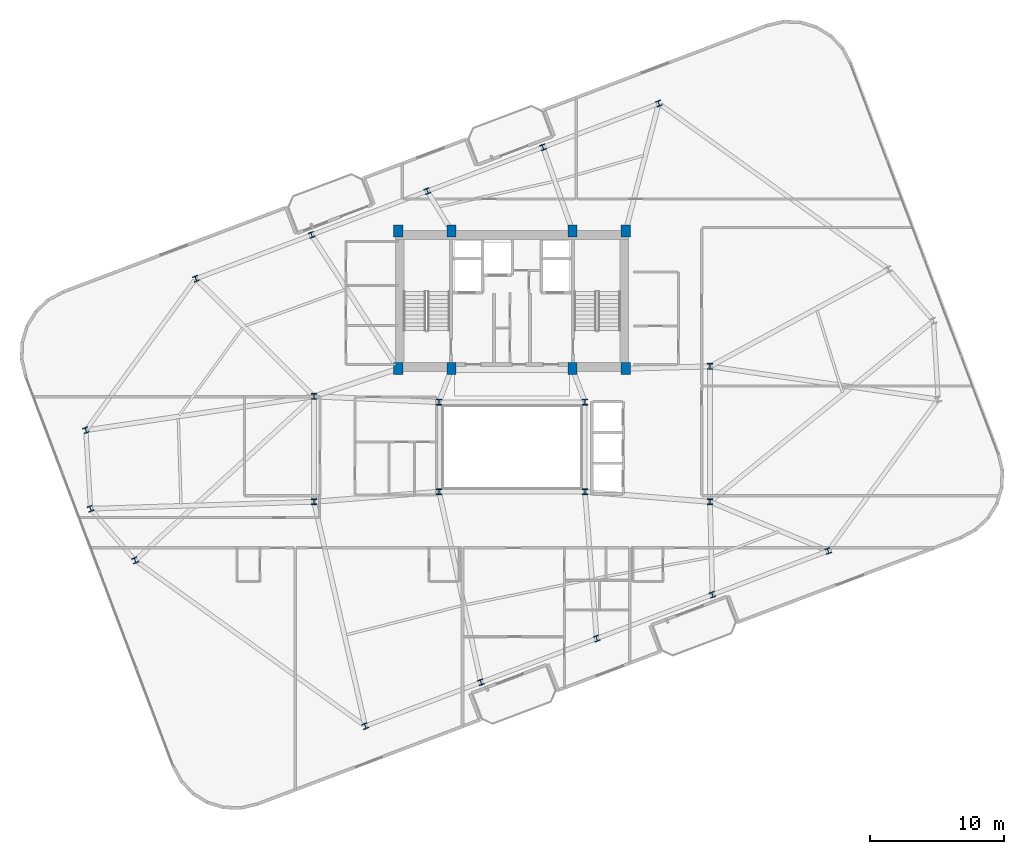
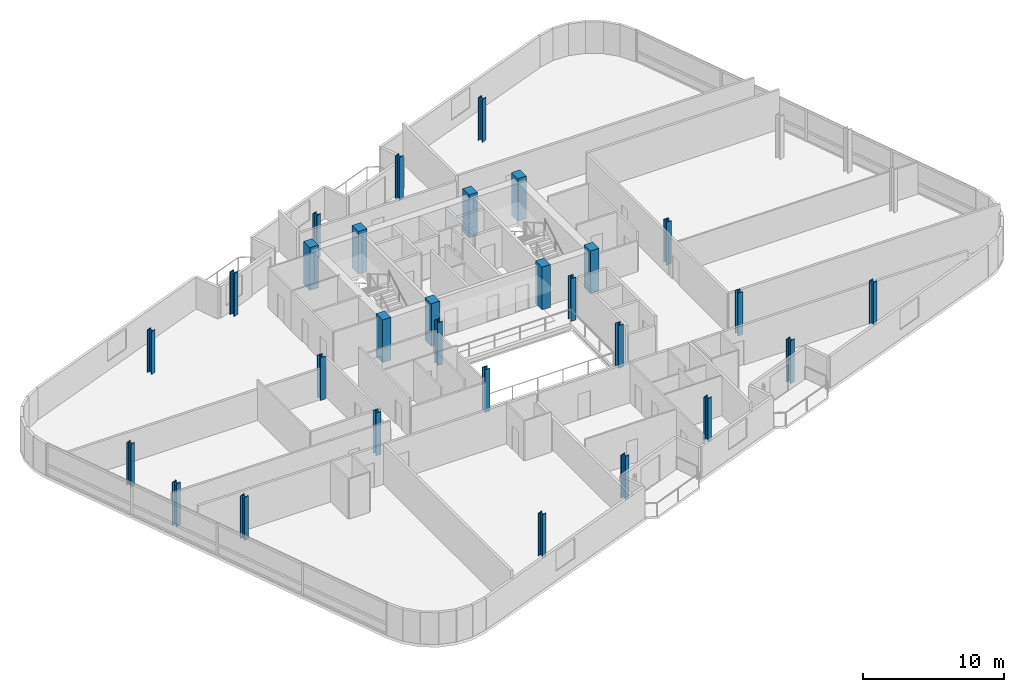
# One storey, part 1 of 20: 29 columns.
"""IFC4 building model written with IfcOpenShell, lengths in metres."""

from ifc_helpers import new_model, si_unit, direction, frame, origin, origin_2d, place, context, subcontext, project, spatial, rectangle, i_section, extrude, material, material_profile, profile_set, type_object, element, save


model = new_model("IFC4")

# Units and contexts
model_context = context("Model", 3, precision=1e-05, world=origin(), true_north=direction((0.0, 1.0)))
body_context = subcontext(model_context, "Body", "Model", "MODEL_VIEW")
ifc_project = project(units=[si_unit("LENGTHUNIT", "METRE"), si_unit("AREAUNIT", "SQUARE_METRE"), si_unit("VOLUMEUNIT", "CUBIC_METRE"), si_unit("PLANEANGLEUNIT", "RADIAN"), si_unit("MASSUNIT", "GRAM", prefix="KILO")], contexts=[model_context])

# Site, building, storey
site_placement = place(None, origin())
site = spatial("IfcSite", under=ifc_project, at=site_placement, CompositionType="ELEMENT")
building_placement = place(site_placement, origin())
building = spatial("IfcBuilding", under=site, at=building_placement, Name="Varnelok Gate Tower", CompositionType="ELEMENT")
storey_placement = place(building_placement, frame((0.0, 0.0, 223.800048828125)))
storey = spatial("IfcBuildingStorey", under=building, at=storey_placement, Name="L57", CompositionType="ELEMENT", Elevation=223.800048828125)

# Columns
ifc_material_1 = material(Name="Concrete C60/75", Category="concrete")
ifc_material_profile_1 = material_profile(ifc_material_1, rectangle(XDim=0.699951171875, YDim=0.89990234375, at=origin_2d()), Name="RC900X700")
ifc_profile_set_1 = profile_set([ifc_material_profile_1], Name="Concrete C60/75")
column_type_1 = type_object("IfcColumnType", Name="COL-RC900X700", PredefinedType="COLUMN", material=ifc_profile_set_1)
for number, where, z_axis, x_axis, name in (
    (1, (30.699951171875, 28.75, 0.0), (0.0, 0.0, 1.0), (1.0, 0.0, 0.0), "L57 Core Spine Column SC1"),
    (2, (34.679931640625, 28.75, 0.0), (0.0, 0.0, 1.0), (1.0, 0.0, 0.0), "L57 Core Spine Column SC2"),
    (3, (43.719970703125, 28.75, 0.0), (0.0, 0.0, 1.0), (1.0, 0.0, 0.0), "L57 Core Spine Column SC3"),
    (4, (47.699951171875, 28.75, 0.0), (0.0, 0.0, 1.0), (1.0, 0.0, 0.0), "L57 Core Spine Column SC4"),
    (5, (30.699951171875, 39.050048828125, 0.0), (0.0, 0.0, 1.0), (1.0, 0.0, 0.0), "L57 Core Spine Column SC5"),
    (6, (34.679931640625, 39.050048828125, 0.0), (0.0, 0.0, 1.0), (1.0, 0.0, 0.0), "L57 Core Spine Column SC6"),
    (7, (43.719970703125, 39.050048828125, 0.0), (0.0, 0.0, 1.0), (1.0, 0.0, 0.0), "L57 Core Spine Column SC7"),
    (8, (47.699951171875, 39.050048828125, 0.0), (0.0, 0.0, 1.0), (1.0, 0.0, 0.0), "L57 Core Spine Column SC8"),
):
    element("IfcColumn", number, at=place(storey_placement, frame(where, z_axis=z_axis, x_axis=x_axis)), inside=storey, type_object=column_type_1, Name=name, PredefinedType="COLUMN", context=body_context, shape_type="SweptSolid", body=[
        extrude(rectangle(XDim=0.699951171875, YDim=0.89990234375, at=origin_2d()), origin(), (0.0, 0.0, 1.0), 3.699951171875),
    ])
ifc_material_2 = material(Name="Structural Steel ASTM A992 Grade 50", Category="steel")
ifc_material_profile_2 = material_profile(ifc_material_2, i_section(OverallWidth=0.406005859375, OverallDepth=0.416015625, WebThickness=0.02978515625, FlangeThickness=0.048095703125, FilletRadius=0.02490234375, at=origin_2d()), Name="W14X257")
ifc_profile_set_2 = profile_set([ifc_material_profile_2], Name="Structural Steel ASTM A992 Grade 50")
column_type_2 = type_object("IfcColumnType", Name="COL-W14X257", PredefinedType="COLUMN", material=ifc_profile_set_2)
for number, where, z_axis, x_axis, name in (
    (9, (28.22900390625, 2.028076171875, 0.0), (0.0, 0.0, 1.0), (0.935221751401, 0.354062530786, 0.0), "L57 B5 Perimeter Column PC01"),
    (10, (36.8798828125, 5.30322265625, 0.0), (0.0, 0.0, 1.0), (0.935221751401, 0.354062530786, 0.0), "L57 B5 Perimeter Column PC02"),
    (11, (45.530517578125, 8.578125, 0.0), (0.0, 0.0, 1.0), (0.935221751401, 0.354062530786, 0.0), "L57 B5 Perimeter Column PC03"),
    (12, (54.181396484375, 11.853271484375, 0.0), (0.0, 0.0, 1.0), (0.935221751401, 0.354062530786, 0.0), "L57 B5 Perimeter Column PC04"),
    (13, (62.832275390625, 15.12841796875, 0.0), (0.0, 0.0, 1.0), (0.935221751401, 0.354062530786, 0.0), "L57 B5 Perimeter Column PC05"),
    (14, (50.1708984375, 48.572021484375, 0.0), (0.0, 0.0, 1.0), (0.935221751401, 0.354062530786, 0.0), "L57 B5 Perimeter Column PC09"),
    (15, (41.520263671875, 45.296875, 0.0), (0.0, 0.0, 1.0), (0.935221751401, 0.354062530786, 0.0), "L57 B5 Perimeter Column PC10"),
    (16, (32.869384765625, 42.021728515625, 0.0), (0.0, 0.0, 1.0), (0.935221751401, 0.354062530786, 0.0), "L57 B5 Perimeter Column PC11"),
    (17, (24.218505859375, 38.74658203125, 0.0), (0.0, 0.0, 1.0), (0.935221751401, 0.354062530786, 0.0), "L57 B5 Perimeter Column PC12"),
    (18, (15.56787109375, 35.4716796875, 0.0), (0.0, 0.0, 1.0), (0.935221751401, 0.354062530786, 0.0), "L57 B5 Perimeter Column PC13"),
    (19, (7.344970703125, 24.146484375, 0.0), (0.0, 0.0, 1.0), (0.935221751401, 0.354062530786, 0.0), "L57 B5 Perimeter Column PC14"),
    (20, (7.694580078125, 18.280517578125, 0.0), (0.0, 0.0, 1.0), (0.935221751401, 0.354062530786, 0.0), "L57 B5 Perimeter Column PC15"),
    (21, (11.027099609375, 14.42041015625, 0.0), (0.0, 0.0, 1.0), (0.935221751401, 0.354062530786, 0.0), "L57 B5 Perimeter Column PC16"),
):
    element("IfcColumn", number, at=place(storey_placement, frame(where, z_axis=z_axis, x_axis=x_axis)), inside=storey, type_object=column_type_2, Name=name, PredefinedType="COLUMN", context=body_context, shape_type="SweptSolid", body=[
        extrude(i_section(OverallWidth=0.406005859375, OverallDepth=0.416015625, WebThickness=0.02978515625, FlangeThickness=0.048095703125, FilletRadius=0.02490234375, at=origin_2d()), origin(), (0.0, 0.0, 1.0), 3.699951171875),
    ])
ifc_material_profile_3 = material_profile(ifc_material_2, i_section(OverallWidth=0.412109375, OverallDepth=0.43505859375, WebThickness=0.035888671875, FlangeThickness=0.057373046875, FilletRadius=0.02490234375, at=origin_2d()), Name="W14X311")
ifc_profile_set_3 = profile_set([ifc_material_profile_3], Name="Structural Steel ASTM A992 Grade 50")
column_type_3 = type_object("IfcColumnType", Name="COL-W14X311", PredefinedType="COLUMN", material=ifc_profile_set_3)
for number, where, z_axis, x_axis, name in (
    (22, (33.75, 19.550048828125, 0.0), (0.0, 0.0, 1.0), (1.0, 0.0, 0.0), "L57 Atrium Spine Column AC1"),
    (23, (44.64990234375, 19.550048828125, 0.0), (0.0, 0.0, 1.0), (1.0, 0.0, 0.0), "L57 Atrium Spine Column AC2"),
    (24, (33.75, 26.25, 0.0), (0.0, 0.0, 1.0), (1.0, 0.0, 0.0), "L57 Atrium Spine Column AC3"),
    (25, (44.64990234375, 26.25, 0.0), (0.0, 0.0, 1.0), (1.0, 0.0, 0.0), "L57 Atrium Spine Column AC4"),
    (26, (24.39990234375, 18.800048828125, 0.0), (0.0, 0.0, 1.0), (1.0, 0.0, 0.0), "L57 Wing Spine Column WS1"),
    (27, (24.39990234375, 26.679931640625, 0.0), (0.0, 0.0, 1.0), (1.0, 0.0, 0.0), "L57 Wing Spine Column WS2"),
    (28, (54.0, 18.800048828125, 0.0), (0.0, 0.0, 1.0), (1.0, 0.0, 0.0), "L57 Wing Spine Column ES1"),
    (29, (54.0, 28.919921875, 0.0), (0.0, 0.0, 1.0), (1.0, 0.0, 0.0), "L57 Wing Spine Column ES2"),
):
    element("IfcColumn", number, at=place(storey_placement, frame(where, z_axis=z_axis, x_axis=x_axis)), inside=storey, type_object=column_type_3, Name=name, PredefinedType="COLUMN", context=body_context, shape_type="SweptSolid", body=[
        extrude(i_section(OverallWidth=0.412109375, OverallDepth=0.43505859375, WebThickness=0.035888671875, FlangeThickness=0.057373046875, FilletRadius=0.02490234375, at=origin_2d()), origin(), (0.0, 0.0, 1.0), 3.699951171875),
    ])

save(model, "model.ifc")
